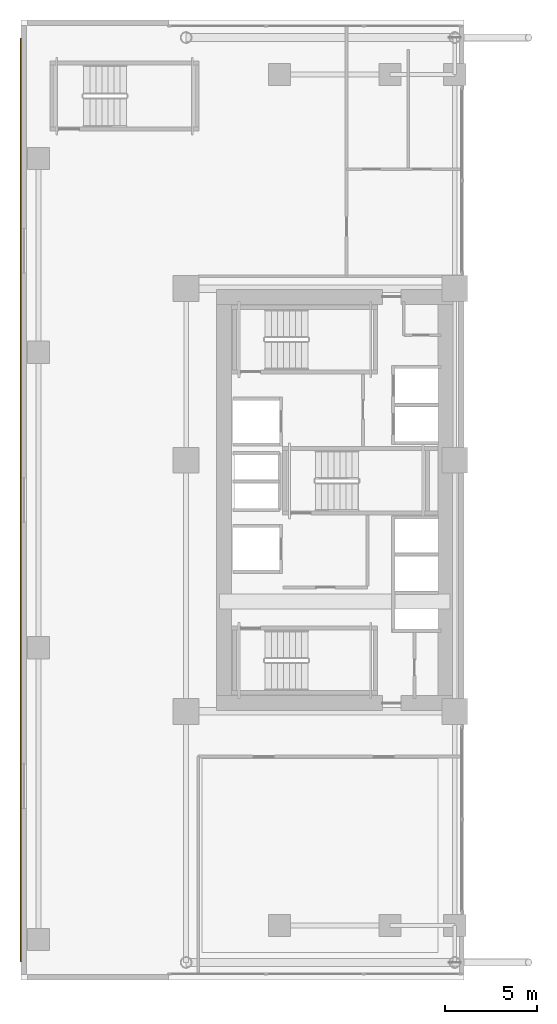
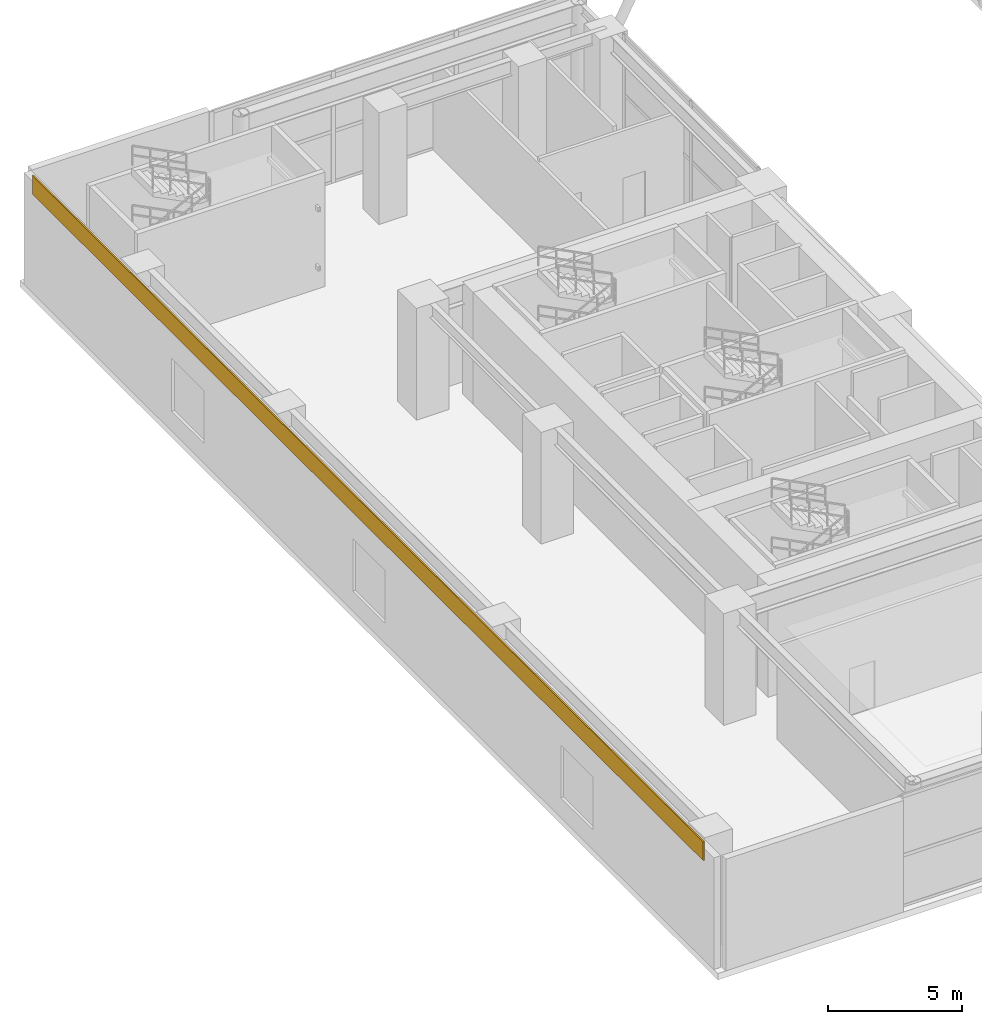
# One storey, part 25 of 29: 1 covering.
"""IFC4 building model written with IfcOpenShell, lengths in metres."""

import ifcopenshell
import ifcopenshell.guid

model = None  # the IFC model being written
_history = None  # IfcOwnerHistory: only IFC2X3 demands one
_inside = {}  # id of a spatial element -> (the spatial element, [elements in it])
_under = {}  # id of a project, library or spatial element -> (it, [spatial elements below it])
_declared = {}  # id of a project -> (the project, [libraries it declares])
_typed = {}  # id of a type object -> (the type object, [elements of that type])
_made_of = {}  # id of a material, layer set ... -> (it, [elements and type objects made of it])


def new_model(schema):
    """Start an empty IFC model of exactly this schema.

    Asked for "IFC4X3", IfcOpenShell would pick the latest addendum, in which some entities
    have other attributes; the version numbers below select the first issue.
    IFC2X3 requires an IfcOwnerHistory on every rooted entity: one is made here for all.
    """
    global model, _history
    if schema == "IFC4X3":
        model = ifcopenshell.file(schema_version=(4, 3, 0, 0))
    else:
        model = ifcopenshell.file(schema=schema)
    _inside.clear()
    _under.clear()
    _declared.clear()
    _typed.clear()
    _made_of.clear()
    _history = None
    if model.schema == "IFC2X3":
        org = make("IfcOrganization", Name="unknown")
        user = make(
            "IfcPersonAndOrganization",
            ThePerson=make("IfcPerson", FamilyName="unknown"),
            TheOrganization=org,
        )
        app = make(
            "IfcApplication",
            ApplicationDeveloper=org,
            Version="unknown",
            ApplicationFullName="unknown",
            ApplicationIdentifier="unknown",
        )
        _history = make(
            "IfcOwnerHistory",
            OwningUser=user,
            OwningApplication=app,
            ChangeAction="ADDED",
            CreationDate=0,
        )
    return model


def make(cls, **values):
    """One entity of the class cls with the attributes given. An attribute that is None is left unset."""
    return model.create_entity(
        cls, **{name: value for name, value in values.items() if value is not None}
    )


def rooted(cls, **values):
    """An entity with a GlobalId (a new one), such as an element, a storey or a relation."""
    return make(cls, GlobalId=ifcopenshell.guid.new(), OwnerHistory=_history, **values)


def si_unit(unit_type, name, prefix=None):
    """IfcSIUnit, for example si_unit("LENGTHUNIT", "METRE", prefix="MILLI")."""
    return make("IfcSIUnit", UnitType=unit_type, Prefix=prefix, Name=name)


def assignment(units):
    """IfcUnitAssignment: the units of a project."""
    return None if units is None else make("IfcUnitAssignment", Units=units)


def point(xyz):
    """IfcCartesianPoint."""
    return None if xyz is None else make("IfcCartesianPoint", Coordinates=xyz)


def direction(xyz):
    """IfcDirection."""
    return None if xyz is None else make("IfcDirection", DirectionRatios=xyz)


def frame(location, z_axis=None, x_axis=None):
    """IfcAxis2Placement3D, a coordinate frame: its origin and axes. An axis left out is left unset."""
    return make(
        "IfcAxis2Placement3D",
        Location=point(location),
        Axis=direction(z_axis),
        RefDirection=direction(x_axis),
    )


def frame_2d(location, x_axis=None):
    """IfcAxis2Placement2D, a coordinate frame in the plane: its origin and x axis."""
    return make(
        "IfcAxis2Placement2D", Location=point(location), RefDirection=direction(x_axis)
    )


def origin():
    """The frame at (0, 0, 0) with its axes left unset."""
    return frame((0.0, 0.0, 0.0))


def origin_2d():
    """The frame at (0, 0) in the plane with its x axis left unset."""
    return frame_2d((0.0, 0.0))


def place(relative_to, where):
    """IfcLocalPlacement: puts the frame where relative to a parent placement (None: the world)."""
    return make(
        "IfcLocalPlacement", PlacementRelTo=relative_to, RelativePlacement=where
    )


def context(
    kind, dimensions, precision=None, world=None, true_north=None, identifier=None
):
    """IfcGeometricRepresentationContext, for example the 3D "Model" context."""
    return make(
        "IfcGeometricRepresentationContext",
        ContextIdentifier=identifier,
        ContextType=kind,
        CoordinateSpaceDimension=dimensions,
        Precision=precision,
        WorldCoordinateSystem=world,
        TrueNorth=true_north,
    )


def subcontext(parent, identifier, kind, view, scale=None):
    """IfcGeometricRepresentationSubContext, for example "Body" below "Model"."""
    return make(
        "IfcGeometricRepresentationSubContext",
        ContextIdentifier=identifier,
        ContextType=kind,
        ParentContext=parent,
        TargetScale=scale,
        TargetView=view,
    )


def project(units=None, contexts=None):
    """IfcProject with its units and contexts."""
    return rooted(
        "IfcProject",
        Name="project",
        RepresentationContexts=contexts,
        UnitsInContext=assignment(units),
    )


def spatial(cls, under=None, at=None, **own):
    """A site, building, storey or space (cls), placed at a placement, below another one or the project."""
    s = rooted(cls, ObjectPlacement=at, **own)
    if under is not None:
        _under.setdefault(under.id(), (under, []))[1].append(s)
    return s


def profile(cls, at=None, kind="AREA", **sizes):
    """A parametric profile (cls). Its sizes go by their IFC names, for example OverallWidth=200.0."""
    return make(cls, ProfileType=kind, Position=at, **sizes)


def rectangle(**sizes):
    """IfcRectangleProfileDef."""
    return profile("IfcRectangleProfileDef", **sizes)


def extrude(swept, where, along, depth):
    """IfcExtrudedAreaSolid: the profile swept, set in the frame where, extruded along a direction by depth."""
    return make(
        "IfcExtrudedAreaSolid",
        SweptArea=swept,
        Position=where,
        ExtrudedDirection=direction(along),
        Depth=depth,
    )


def shape(context_of_items, identifier, shape_type, items):
    """IfcShapeRepresentation: the items that make up one representation, for example the "Body"."""
    return make(
        "IfcShapeRepresentation",
        ContextOfItems=context_of_items,
        RepresentationIdentifier=identifier,
        RepresentationType=shape_type,
        Items=items,
    )


def source(mapping_origin, context_of_items, identifier, shape_type, items):
    """IfcRepresentationMap: a shape defined once, which mapped items show again and again."""
    return make(
        "IfcRepresentationMap",
        MappingOrigin=mapping_origin,
        MappedRepresentation=shape(context_of_items, identifier, shape_type, items),
    )


def transform(
    local_origin,
    x_axis=None,
    y_axis=None,
    z_axis=None,
    scale=None,
    scale2=None,
    scale3=None,
    uniform=True,
):
    """IfcCartesianTransformationOperator3D, or its non-uniform kind. x_axis, y_axis, z_axis: its Axis1, 2, 3."""
    if uniform:
        return make(
            "IfcCartesianTransformationOperator3D",
            Axis1=direction(x_axis),
            Axis2=direction(y_axis),
            LocalOrigin=point(local_origin),
            Scale=scale,
            Axis3=direction(z_axis),
        )
    return make(
        "IfcCartesianTransformationOperator3DnonUniform",
        Axis1=direction(x_axis),
        Axis2=direction(y_axis),
        LocalOrigin=point(local_origin),
        Scale=scale,
        Axis3=direction(z_axis),
        Scale2=scale2,
        Scale3=scale3,
    )


def mapped(mapping_source, mapping_target):
    """IfcMappedItem: shows the shape of a source again, moved by a transform."""
    return make(
        "IfcMappedItem", MappingSource=mapping_source, MappingTarget=mapping_target
    )


def material(Name=None, Category=None):
    """IfcMaterial."""
    return make("IfcMaterial", Name=Name, Category=Category)


def layer(
    of_material, thickness, ventilated=None, Name=None, Category=None, Priority=None
):
    """IfcMaterialLayer: one layer of a wall or slab, of a material (None: an air gap)."""
    return make(
        "IfcMaterialLayer",
        Material=of_material,
        LayerThickness=thickness,
        IsVentilated=ventilated,
        Name=Name,
        Category=Category,
        Priority=Priority,
    )


def layer_set(layers, Name=None):
    """IfcMaterialLayerSet."""
    return make("IfcMaterialLayerSet", MaterialLayers=layers, LayerSetName=Name)


def made_of(thing, what):
    """Note that an element or type object is made of a material, layer set ...; save() writes the relation."""
    if what is not None:
        _made_of.setdefault(what.id(), (what, []))[1].append(thing)
    return thing


def type_object(cls, material=None, **own):
    """A type object (cls), such as IfcWallType, which elements share."""
    return made_of(rooted(cls, **own), material)


def element(
    cls,
    number,
    at=None,
    inside=None,
    cuts=None,
    type_object=None,
    material=None,
    context=None,
    identifier="Body",
    shape_type=None,
    held_by="IfcProductDefinitionShape",
    body=None,
    shapes=None,
    **own,
):
    """One element of the class cls, such as IfcWall. Its Tag is "e" and its number.

    at: its placement. inside: the storey or other place that contains it. cuts: it is an
    opening in that element (IfcRelVoidsElement). A single representation is given by context,
    identifier, shape_type and body (its items); several are given by shapes. held_by: the class
    of the entity that holds the representations. save() writes the other relations.
    """
    e = rooted(cls, Tag="e%d" % number, ObjectPlacement=at, **own)
    if body is not None:
        shapes = [shape(context, identifier, shape_type, body)]
    if shapes is not None:
        e.Representation = make(held_by, Representations=shapes)
    if inside is not None:
        _inside.setdefault(inside.id(), (inside, []))[1].append(e)
    if cuts is not None:
        rooted(
            "IfcRelVoidsElement", RelatingBuildingElement=cuts, RelatedOpeningElement=e
        )
    if type_object is not None:
        _typed.setdefault(type_object.id(), (type_object, []))[1].append(e)
    return made_of(e, material)


def aggregate(whole, parts):
    """IfcRelAggregates: a whole, such as a stair, and the parts it consists of."""
    return rooted("IfcRelAggregates", RelatingObject=whole, RelatedObjects=parts)


def save(model, path):
    """Write the relations noted so far, then the file.

    IfcRelAggregates (storeys below a building ...), IfcRelContainedInSpatialStructure (elements
    in a storey), IfcRelDefinesByType, IfcRelAssociatesMaterial and IfcRelDeclares: one each for
    every whole, place, type object, material and project.
    """
    for whole, parts in _under.values():
        aggregate(whole, parts)
    for where, things in _inside.values():
        rooted(
            "IfcRelContainedInSpatialStructure",
            RelatedElements=things,
            RelatingStructure=where,
        )
    for kind, things in _typed.values():
        rooted("IfcRelDefinesByType", RelatedObjects=things, RelatingType=kind)
    for what, things in _made_of.values():
        rooted("IfcRelAssociatesMaterial", RelatedObjects=things, RelatingMaterial=what)
    for by, libraries in _declared.values():
        rooted("IfcRelDeclares", RelatingContext=by, RelatedDefinitions=libraries)
    model.write(path)


model = new_model("IFC4")

# Units and contexts
model_context = context("Model", 3, precision=1e-05, world=origin(), true_north=direction((0.0, 1.0)))
body_context = subcontext(model_context, "Body", "Model", "MODEL_VIEW")
ifc_project = project(units=[si_unit("LENGTHUNIT", "METRE"), si_unit("AREAUNIT", "SQUARE_METRE"), si_unit("VOLUMEUNIT", "CUBIC_METRE"), si_unit("PLANEANGLEUNIT", "RADIAN"), si_unit("MASSUNIT", "GRAM", prefix="KILO")], contexts=[model_context])

# Site, building, storey
site_placement = place(None, origin())
site = spatial("IfcSite", under=ifc_project, at=site_placement, CompositionType="ELEMENT")
building_placement = place(site_placement, origin())
building = spatial("IfcBuilding", under=site, at=building_placement, Name="Ocotamira Hotel", CompositionType="ELEMENT")
storey_placement = place(building_placement, frame((0.0, 0.0, 6.0)))
storey = spatial("IfcBuildingStorey", under=building, at=storey_placement, Name="L02", CompositionType="ELEMENT", Elevation=6.0)

# Covering
ifc_material = material(Name="Pale-metal champagne aluminium rainscreen cladding", Category="aluminium")
ifc_layer = layer(ifc_material, 0.06005859375)
ifc_layer_set = layer_set([ifc_layer], Name="Pale-metal champagne aluminium rainscreen cladding")
covering_type = type_object("IfcCoveringType", Name="COV-CLAD-60", PredefinedType="CLADDING", material=ifc_layer_set)
shared_shape = source(origin(), body_context, "Body", "SweptSolid", [
    extrude(rectangle(XDim=0.06005859375, YDim=50.0, at=origin_2d()), origin(), (0.0, 0.0, 1.0), 0.85009765625),
])
covering_placement = place(storey_placement, frame((-0.02001953125, 26.0, 4.550048828125), z_axis=(0.0, 0.0, 1.0), x_axis=(1.0, 0.0, 0.0)))
element("IfcCovering", 1, at=covering_placement, inside=storey, type_object=covering_type, Name="L02 West Spandrel Cladding", PredefinedType="CLADDING", context=body_context, shape_type="MappedRepresentation", body=[
    mapped(shared_shape, transform((0.0, 0.0, 0.0), scale=1.0)),
])

save(model, "model.ifc")
